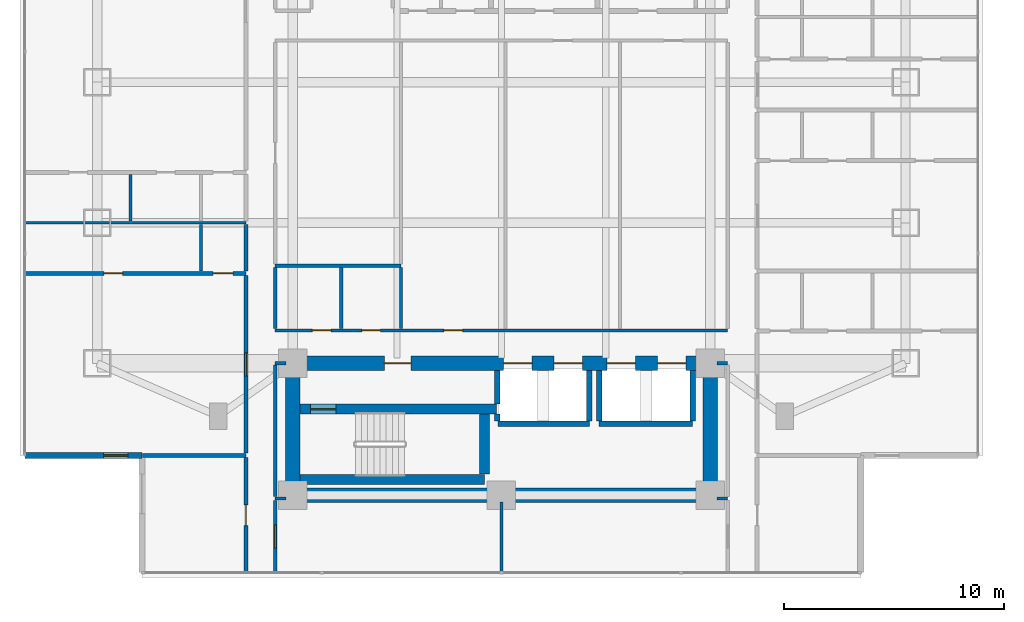
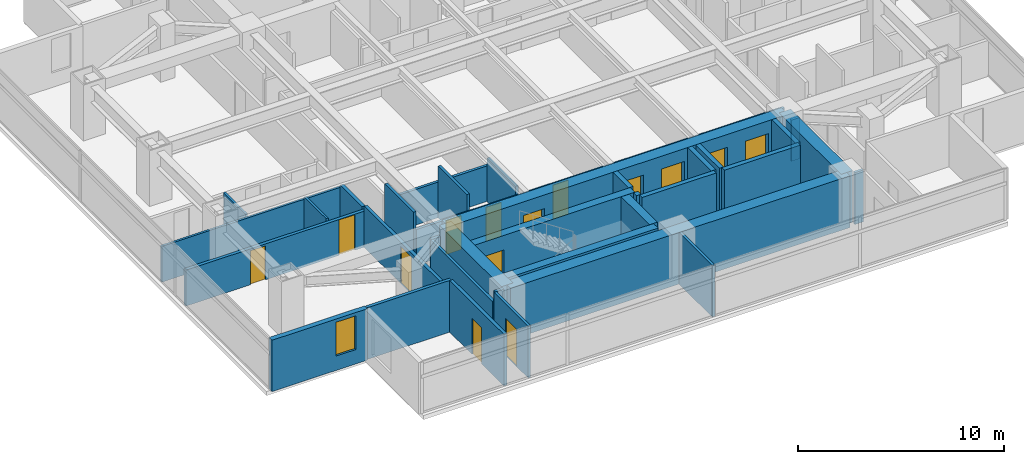
# One storey, part 13 of 24: 35 walls, 14 doors, 1 window, 15 openings.
"""IFC4 building model written with IfcOpenShell, lengths in metres."""

from ifc_helpers import new_model, si_unit, direction, frame, frame_2d, origin, place, context, subcontext, project, spatial, rectangle, extrude, material, layer, layer_set, type_object, element, fill, save


model = new_model("IFC4")

# Units and contexts
model_context = context("Model", 3, precision=1e-05, world=origin(), true_north=direction((0.0, 1.0)))
body_context = subcontext(model_context, "Body", "Model", "MODEL_VIEW")
ifc_project = project(units=[si_unit("LENGTHUNIT", "METRE"), si_unit("AREAUNIT", "SQUARE_METRE"), si_unit("VOLUMEUNIT", "CUBIC_METRE"), si_unit("PLANEANGLEUNIT", "RADIAN"), si_unit("MASSUNIT", "GRAM", prefix="KILO")], contexts=[model_context])

# Site, building, storey
site_placement = place(None, origin())
site = spatial("IfcSite", under=ifc_project, at=site_placement, CompositionType="ELEMENT")
building_placement = place(site_placement, origin())
building = spatial("IfcBuilding", under=site, at=building_placement, Name="Mirazonda Arch Towers", CompositionType="ELEMENT")
storey_placement = place(building_placement, frame((0.0, 0.0, 65.300048828125)))
storey = spatial("IfcBuildingStorey", under=building, at=storey_placement, Name="L18", CompositionType="ELEMENT", Elevation=65.300048828125)

# Wall
ifc_material_1 = material(Name="Concrete C50/60", Category="concrete")
ifc_layer_1 = layer(ifc_material_1, 0.449951171875, Name="WALL-CORE-450")
ifc_layer_set_1 = layer_set([ifc_layer_1], Name="Concrete C50/60")
wall_type_1 = type_object("IfcWallType", Name="WALL-CORE-450", PredefinedType="SHEAR", material=ifc_layer_set_1)
wall_1_placement = place(storey_placement, frame((11.320068359375, 13.1201171875, 0.0), z_axis=(0.0, 0.0, 1.0), x_axis=(1.0, 0.0, 0.0)))
element("IfcWall", 1, at=wall_1_placement, inside=storey, type_object=wall_type_1, Name="L18 Stair Core Shear Wall 003", PredefinedType="SHEAR", context=body_context, shape_type="SweptSolid", body=[
    extrude(rectangle(XDim=8.409912109375, YDim=0.449951171875, at=frame_2d((4.205078125, 0.0))), origin(), (0.0, 0.0, 1.0), 3.06005859375),
])

# Wall, opening, door
wall_2_placement = place(storey_placement, frame((11.320068359375, 16.320068359375, 0.0), z_axis=(0.0, 0.0, 1.0), x_axis=(1.0, 0.0, 0.0)))
wall_2 = element("IfcWall", 2, at=wall_2_placement, inside=storey, type_object=wall_type_1, Name="L18 Stair Core Shear Wall 008", PredefinedType="SHEAR", context=body_context, shape_type="SweptSolid", body=[
    extrude(rectangle(XDim=8.9599609375, YDim=0.449951171875, at=frame_2d((4.47998046875, 0.0))), origin(), (0.0, 0.0, 1.0), 3.06005859375),
])
opening_1_placement = place(wall_2_placement, frame((0.4951171875, 0.0, 0.0)))
opening_1 = element("IfcOpeningElement", 3, at=opening_1_placement, cuts=wall_2, Name="Opening DR-135", PredefinedType="OPENING", context=body_context, shape_type="SweptSolid", body=[
    extrude(rectangle(XDim=1.14990234375, YDim=2.199951171875, at=frame_2d((0.574951171875, 1.10009765625))), frame((0.0, 0.23486328125, 0.0), z_axis=(0.0, -1.0, 0.0), x_axis=(1.0, 0.0, 0.0)), (0.0, 0.0, 1.0), 0.469970703125),
])
ifc_material_2 = material(Name="Architectural Brushed Steel S355", Category="steel")
door_type_1 = type_object("IfcDoorType", Name="DOOR-STAIR-FD90-1150", OperationType="NOTDEFINED", PredefinedType="DOOR", material=ifc_material_2)
door_1_placement = place(opening_1_placement, origin())
door_1 = element("IfcDoor", 4, at=door_1_placement, inside=storey, type_object=door_type_1, Name="L18 Protected Exit Stair South Door", OperationType="SINGLE_SWING_RIGHT", OverallHeight=2.199951171875, OverallWidth=1.14990234375, PredefinedType="DOOR", context=body_context, shape_type="SweptSolid", body=[
    extrude(rectangle(XDim=1.14990234375, YDim=2.199951171875, at=frame_2d((0.574951171875, 1.10009765625))), frame((0.0, 0.02490234375, 0.0), z_axis=(0.0, -1.0, 0.0), x_axis=(1.0, 0.0, 0.0)), (0.0, 0.0, 1.0), 0.050048828125),
])
fill(opening_1, door_1)

# Walls
wall_3_placement = place(storey_placement, frame((19.72998046875, 13.35498046875, 0.0), z_axis=(0.0, 0.0, 1.0), x_axis=(0.0, 1.0, 0.0)))
element("IfcWall", 5, at=wall_3_placement, inside=storey, type_object=wall_type_1, Name="L18 Stair Core Shear Wall 079", PredefinedType="SHEAR", context=body_context, shape_type="SweptSolid", body=[
    extrude(rectangle(XDim=2.72998046875, YDim=0.449951171875, at=frame_2d((1.364990234375, 0.0))), origin(), (0.0, 0.0, 1.0), 3.06005859375),
])
ifc_material_3 = material(Name="Concrete C60/75", Category="concrete")
ifc_layer_2 = layer(ifc_material_3, 0.64990234375, Name="WALL-CORE-650")
ifc_layer_set_2 = layer_set([ifc_layer_2], Name="Concrete C60/75")
wall_type_2 = type_object("IfcWallType", Name="WALL-CORE-650", PredefinedType="SHEAR", material=ifc_layer_set_2)
wall_4_placement = place(storey_placement, frame((11.0, 12.39990234375, 0.0), z_axis=(0.0, 0.0, 1.0), x_axis=(1.0, 0.0, 0.0)))
element("IfcWall", 6, at=wall_4_placement, inside=storey, type_object=wall_type_2, Name="L18 T1S-S Core Shear Wall", PredefinedType="SHEAR", context=body_context, shape_type="SweptSolid", body=[
    extrude(rectangle(XDim=19.0, YDim=0.64990234375, at=frame_2d((9.5, 0.0))), origin(), (0.0, 0.0, 1.0), 3.06005859375),
])
for number, where, z_axis, x_axis, name in (
    (7, (11.0, 12.39990234375, 0.0), (0.0, 0.0, 1.0), (0.0, 1.0, 0.0), "L18 T1S-W Core Shear Wall"),
    (8, (30.0, 12.39990234375, 0.0), (0.0, 0.0, 1.0), (0.0, 1.0, 0.0), "L18 T1S-E Core Shear Wall"),
):
    element("IfcWall", number, at=place(storey_placement, frame(where, z_axis=z_axis, x_axis=x_axis)), inside=storey, type_object=wall_type_2, Name=name, PredefinedType="SHEAR", context=body_context, shape_type="SweptSolid", body=[
        extrude(rectangle(XDim=6.0, YDim=0.64990234375, at=frame_2d((3.0, 0.0))), origin(), (0.0, 0.0, 1.0), 3.06005859375),
    ])

# Wall, openings, doors
wall_5_placement = place(storey_placement, frame((11.0, 18.39990234375, 0.0), z_axis=(0.0, 0.0, 1.0), x_axis=(1.0, 0.0, 0.0)))
wall_5 = element("IfcWall", 9, at=wall_5_placement, inside=storey, type_object=wall_type_2, Name="L18 T1S-N Core Shear Wall", PredefinedType="SHEAR", context=body_context, shape_type="SweptSolid", body=[
    extrude(rectangle(XDim=19.0, YDim=0.64990234375, at=frame_2d((9.5, 0.0))), origin(), (0.0, 0.0, 1.0), 3.06005859375),
])
opening_2_placement = place(wall_5_placement, frame((4.175048828125, 0.0, 0.0)))
opening_2 = element("IfcOpeningElement", 10, at=opening_2_placement, cuts=wall_5, Name="Opening DR-117", PredefinedType="OPENING", context=body_context, shape_type="SweptSolid", body=[
    extrude(rectangle(XDim=1.199951171875, YDim=2.25, at=frame_2d((0.60009765625, 1.125))), frame((0.0, 0.3349609375, 0.0), z_axis=(0.0, -1.0, 0.0), x_axis=(1.0, 0.0, 0.0)), (0.0, 0.0, 1.0), 0.669921875),
])
opening_3_placement = place(wall_5_placement, frame((9.60009765625, 0.0, 0.0)))
opening_3 = element("IfcOpeningElement", 11, at=opening_3_placement, cuts=wall_5, Name="Opening LD-111", PredefinedType="OPENING", context=body_context, shape_type="SweptSolid", body=[
    extrude(rectangle(XDim=1.300048828125, YDim=2.300048828125, at=frame_2d((0.64990234375, 1.14990234375))), frame((0.0, 0.3349609375, 0.0), z_axis=(0.0, -1.0, 0.0), x_axis=(1.0, 0.0, 0.0)), (0.0, 0.0, 1.0), 0.669921875),
])
opening_4_placement = place(wall_5_placement, frame((11.89990234375, 0.0, 0.0)))
opening_4 = element("IfcOpeningElement", 12, at=opening_4_placement, cuts=wall_5, Name="Opening LD-111", PredefinedType="OPENING", context=body_context, shape_type="SweptSolid", body=[
    extrude(rectangle(XDim=1.300048828125, YDim=2.300048828125, at=frame_2d((0.64990234375, 1.14990234375))), frame((0.0, 0.3349609375, 0.0), z_axis=(0.0, -1.0, 0.0), x_axis=(1.0, 0.0, 0.0)), (0.0, 0.0, 1.0), 0.669921875),
])
opening_5_placement = place(wall_5_placement, frame((14.300048828125, 0.0, 0.0)))
opening_5 = element("IfcOpeningElement", 13, at=opening_5_placement, cuts=wall_5, Name="Opening LD-111", PredefinedType="OPENING", context=body_context, shape_type="SweptSolid", body=[
    extrude(rectangle(XDim=1.300048828125, YDim=2.300048828125, at=frame_2d((0.64990234375, 1.14990234375))), frame((0.0, 0.3349609375, 0.0), z_axis=(0.0, -1.0, 0.0), x_axis=(1.0, 0.0, 0.0)), (0.0, 0.0, 1.0), 0.669921875),
])
opening_6_placement = place(wall_5_placement, frame((16.60009765625, 0.0, 0.0)))
opening_6 = element("IfcOpeningElement", 14, at=opening_6_placement, cuts=wall_5, Name="Opening LD-111", PredefinedType="OPENING", context=body_context, shape_type="SweptSolid", body=[
    extrude(rectangle(XDim=1.300048828125, YDim=2.300048828125, at=frame_2d((0.64990234375, 1.14990234375))), frame((0.0, 0.3349609375, 0.0), z_axis=(0.0, -1.0, 0.0), x_axis=(1.0, 0.0, 0.0)), (0.0, 0.0, 1.0), 0.669921875),
])
door_type_2 = type_object("IfcDoorType", Name="DOOR-FFL-FD90-1200", OperationType="NOTDEFINED", PredefinedType="DOOR", material=ifc_material_2)
door_2_placement = place(opening_2_placement, origin())
door_2 = element("IfcDoor", 15, at=door_2_placement, inside=storey, type_object=door_type_2, Name="L18 South Core Stair & Lift Lobby Door", OperationType="SINGLE_SWING_LEFT", OverallHeight=2.25, OverallWidth=1.199951171875, PredefinedType="DOOR", context=body_context, shape_type="SweptSolid", body=[
    extrude(rectangle(XDim=1.199951171875, YDim=2.25, at=frame_2d((0.60009765625, 1.125))), frame((0.0, 0.02490234375, 0.0), z_axis=(0.0, -1.0, 0.0), x_axis=(1.0, 0.0, 0.0)), (0.0, 0.0, 1.0), 0.050048828125),
])
fill(opening_2, door_2)
door_type_3 = type_object("IfcDoorType", Name="DOOR-LIFT-LAND-1300", OperationType="NOTDEFINED", PredefinedType="DOOR", material=ifc_material_2)
door_3_placement = place(opening_3_placement, origin())
door_3 = element("IfcDoor", 16, at=door_3_placement, inside=storey, type_object=door_type_3, Name="L18 Lift Landing Sliding Door PL-T1M1", OperationType="DOUBLE_DOOR_SLIDING", OverallHeight=2.300048828125, OverallWidth=1.300048828125, PredefinedType="DOOR", context=body_context, shape_type="SweptSolid", body=[
    extrude(rectangle(XDim=1.300048828125, YDim=2.300048828125, at=frame_2d((0.64990234375, 1.14990234375))), frame((0.0, 0.02490234375, 0.0), z_axis=(0.0, -1.0, 0.0), x_axis=(1.0, 0.0, 0.0)), (0.0, 0.0, 1.0), 0.050048828125),
])
fill(opening_3, door_3)
door_4_placement = place(opening_4_placement, origin())
door_4 = element("IfcDoor", 17, at=door_4_placement, inside=storey, type_object=door_type_3, Name="L18 Lift Landing Sliding Door PL-T1M2", OperationType="DOUBLE_DOOR_SLIDING", OverallHeight=2.300048828125, OverallWidth=1.300048828125, PredefinedType="DOOR", context=body_context, shape_type="SweptSolid", body=[
    extrude(rectangle(XDim=1.300048828125, YDim=2.300048828125, at=frame_2d((0.64990234375, 1.14990234375))), frame((0.0, 0.02490234375, 0.0), z_axis=(0.0, -1.0, 0.0), x_axis=(1.0, 0.0, 0.0)), (0.0, 0.0, 1.0), 0.050048828125),
])
fill(opening_4, door_4)
door_5_placement = place(opening_5_placement, origin())
door_5 = element("IfcDoor", 18, at=door_5_placement, inside=storey, type_object=door_type_3, Name="L18 Lift Landing Sliding Door PL-T1H1", OperationType="DOUBLE_DOOR_SLIDING", OverallHeight=2.300048828125, OverallWidth=1.300048828125, PredefinedType="DOOR", context=body_context, shape_type="SweptSolid", body=[
    extrude(rectangle(XDim=1.300048828125, YDim=2.300048828125, at=frame_2d((0.64990234375, 1.14990234375))), frame((0.0, 0.02490234375, 0.0), z_axis=(0.0, -1.0, 0.0), x_axis=(1.0, 0.0, 0.0)), (0.0, 0.0, 1.0), 0.050048828125),
])
fill(opening_5, door_5)
door_6_placement = place(opening_6_placement, origin())
door_6 = element("IfcDoor", 19, at=door_6_placement, inside=storey, type_object=door_type_3, Name="L18 Lift Landing Sliding Door PL-T1H2", OperationType="DOUBLE_DOOR_SLIDING", OverallHeight=2.300048828125, OverallWidth=1.300048828125, PredefinedType="DOOR", context=body_context, shape_type="SweptSolid", body=[
    extrude(rectangle(XDim=1.300048828125, YDim=2.300048828125, at=frame_2d((0.64990234375, 1.14990234375))), frame((0.0, 0.02490234375, 0.0), z_axis=(0.0, -1.0, 0.0), x_axis=(1.0, 0.0, 0.0)), (0.0, 0.0, 1.0), 0.050048828125),
])
fill(opening_6, door_6)

# Wall, opening, window
ifc_material_4 = material(Name="Precast Concrete C40/50", Category="concrete")
ifc_layer_3 = layer(ifc_material_4, 0.280029296875, Name="WALL-EXT-WALL-280")
ifc_layer_set_3 = layer_set([ifc_layer_3], Name="Precast Concrete C40/50")
wall_type_3 = type_object("IfcWallType", Name="WALL-EXT-WALL-280", PredefinedType="SOLIDWALL", material=ifc_layer_set_3)
wall_6_placement = place(storey_placement, frame((-1.199951171875, 14.2080078125, 0.0), z_axis=(0.0, 0.0, 1.0), x_axis=(1.0, 0.0, 0.0)))
wall_6 = element("IfcWall", 20, at=wall_6_placement, inside=storey, type_object=wall_type_3, Name="L18 T1 Corner Notch Return Wall WL-L18-T1-CSW2", PredefinedType="SOLIDWALL", context=body_context, shape_type="SweptSolid", body=[
    extrude(rectangle(XDim=5.33984375, YDim=0.280029296875, at=frame_2d((2.669921875, 0.0))), origin(), (0.0, 0.0, 1.0), 3.0400390625),
])
opening_7_placement = place(wall_6_placement, frame((3.590087890625, 0.0, 0.85009765625)))
opening_7 = element("IfcOpeningElement", 21, at=opening_7_placement, cuts=wall_6, Name="Opening WN-108", PredefinedType="OPENING", context=body_context, shape_type="SweptSolid", body=[
    extrude(rectangle(XDim=1.10009765625, YDim=2.0, at=frame_2d((0.550048828125, 1.0))), frame((0.0, 0.14990234375, 0.0), z_axis=(0.0, -1.0, 0.0), x_axis=(1.0, 0.0, 0.0)), (0.0, 0.0, 1.0), 0.300048828125),
])
ifc_material_5 = material(Name="Insulated Low-E Solar Glass", Category="glass")
window_type = type_object("IfcWindowType", Name="WIN-NOTCH-1100x2000", PartitioningType="SINGLE_PANEL", PredefinedType="WINDOW", material=ifc_material_5)
window_placement = place(opening_7_placement, origin())
window = element("IfcWindow", 22, at=window_placement, inside=storey, type_object=window_type, Name="L18 Punched Facade Window WN-L18-T1-CSW2", OverallHeight=2.0, OverallWidth=1.10009765625, PartitioningType="SINGLE_PANEL", PredefinedType="WINDOW", context=body_context, shape_type="SweptSolid", body=[
    extrude(rectangle(XDim=1.10009765625, YDim=2.0, at=frame_2d((0.550048828125, 1.0))), frame((0.0, 0.030029296875, 0.0), z_axis=(0.0, -1.0, 0.0), x_axis=(1.0, 0.0, 0.0)), (0.0, 0.0, 1.0), 0.06005859375),
])
fill(opening_7, window)

# Walls
ifc_material_6 = material(Name="Fire-Rated Gypsum Stud Partition")
ifc_layer_4 = layer(ifc_material_6, 0.14990234375, Name="WALL-PART-CORR-150")
ifc_layer_set_4 = layer_set([ifc_layer_4], Name="Fire-Rated Gypsum Stud Partition")
wall_type_4 = type_object("IfcWallType", Name="WALL-PART-CORR-150", PredefinedType="PARTITIONING", material=ifc_layer_set_4)
for number, where, z_axis, x_axis, name in (
    (23, (10.199951171875, 12.25, 0.0), (0.0, 0.0, 1.0), (1.0, 0.0, 0.0), "L18 Interior Partition 001"),
    (24, (30.320068359375, 12.25, 0.0), (0.0, 0.0, 1.0), (1.0, 0.0, 0.0), "L18 Interior Partition 002"),
):
    element("IfcWall", number, at=place(storey_placement, frame(where, z_axis=z_axis, x_axis=x_axis)), inside=storey, type_object=wall_type_4, Name=name, PredefinedType="PARTITIONING", context=body_context, shape_type="SweptSolid", body=[
        extrude(rectangle(XDim=0.47998046875, YDim=0.14990234375, at=frame_2d((0.239990234375, 0.0))), origin(), (0.0, 0.0, 1.0), 3.06005859375),
    ])
for number, where, z_axis, x_axis, name in (
    (25, (10.199951171875, 18.39990234375, 0.0), (0.0, 0.0, 1.0), (1.0, 0.0, 0.0), "L18 Interior Partition 012"),
    (26, (30.320068359375, 18.39990234375, 0.0), (0.0, 0.0, 1.0), (1.0, 0.0, 0.0), "L18 Interior Partition 013"),
):
    element("IfcWall", number, at=place(storey_placement, frame(where, z_axis=z_axis, x_axis=x_axis)), inside=storey, type_object=wall_type_4, Name=name, PredefinedType="PARTITIONING", context=body_context, shape_type="SweptSolid", body=[
        extrude(rectangle(XDim=0.47998046875, YDim=0.14990234375, at=frame_2d((0.239990234375, 0.0))), origin(), (0.0, 0.0, 1.0), 2.43603515625),
    ])

# Wall, openings, doors
wall_7_placement = place(storey_placement, frame((10.199951171875, 19.89990234375, 0.0), z_axis=(0.0, 0.0, 1.0), x_axis=(1.0, 0.0, 0.0)))
wall_7 = element("IfcWall", 27, at=wall_7_placement, inside=storey, type_object=wall_type_4, Name="L18 Interior Partition 015", PredefinedType="PARTITIONING", context=body_context, shape_type="SweptSolid", body=[
    extrude(rectangle(XDim=20.60009765625, YDim=0.14990234375, at=frame_2d((10.300048828125, 0.0))), origin(), (0.0, 0.0, 1.0), 2.10400390625),
])
opening_8_placement = place(wall_7_placement, frame((1.695068359375, 0.0, 0.0)))
opening_8 = element("IfcOpeningElement", 28, at=opening_8_placement, cuts=wall_7, Name="Opening DR-128", PredefinedType="OPENING", context=body_context, shape_type="SweptSolid", body=[
    extrude(rectangle(XDim=0.85009765625, YDim=2.010009765625, at=frame_2d((0.425048828125, 1.0048828125))), frame((0.0, 0.0849609375, 0.0), z_axis=(0.0, -1.0, 0.0), x_axis=(1.0, 0.0, 0.0)), (0.0, 0.0, 1.0), 0.169921875),
])
opening_9_placement = place(wall_7_placement, frame((3.93994140625, 0.0, 0.0)))
opening_9 = element("IfcOpeningElement", 29, at=opening_9_placement, cuts=wall_7, Name="Opening DR-128", PredefinedType="OPENING", context=body_context, shape_type="SweptSolid", body=[
    extrude(rectangle(XDim=0.85009765625, YDim=2.010009765625, at=frame_2d((0.425048828125, 1.0048828125))), frame((0.0, 0.0849609375, 0.0), z_axis=(0.0, -1.0, 0.0), x_axis=(1.0, 0.0, 0.0)), (0.0, 0.0, 1.0), 0.169921875),
])
opening_10_placement = place(wall_7_placement, frame((7.68408203125, 0.0, 0.0)))
opening_10 = element("IfcOpeningElement", 30, at=opening_10_placement, cuts=wall_7, Name="Opening DR-128", PredefinedType="OPENING", context=body_context, shape_type="SweptSolid", body=[
    extrude(rectangle(XDim=0.85009765625, YDim=2.010009765625, at=frame_2d((0.425048828125, 1.0048828125))), frame((0.0, 0.0849609375, 0.0), z_axis=(0.0, -1.0, 0.0), x_axis=(1.0, 0.0, 0.0)), (0.0, 0.0, 1.0), 0.169921875),
])
door_type_4 = type_object("IfcDoorType", Name="DOOR-RISER-FD60-850", OperationType="NOTDEFINED", PredefinedType="DOOR", material=ifc_material_2)
door_7_placement = place(opening_8_placement, origin())
door_7 = element("IfcDoor", 31, at=door_7_placement, inside=storey, type_object=door_type_4, Name="L18 Common Accessible WC Door", OperationType="SINGLE_SWING_LEFT", OverallHeight=2.010009765625, OverallWidth=0.85009765625, PredefinedType="DOOR", context=body_context, shape_type="SweptSolid", body=[
    extrude(rectangle(XDim=0.85009765625, YDim=2.010009765625, at=frame_2d((0.425048828125, 1.0048828125))), frame((0.0, 0.02490234375, 0.0), z_axis=(0.0, -1.0, 0.0), x_axis=(1.0, 0.0, 0.0)), (0.0, 0.0, 1.0), 0.050048828125),
])
fill(opening_8, door_7)
door_8_placement = place(opening_9_placement, origin())
door_8 = element("IfcDoor", 32, at=door_8_placement, inside=storey, type_object=door_type_4, Name="L18 L18 West Courtyard Study Door", OperationType="SINGLE_SWING_LEFT", OverallHeight=2.010009765625, OverallWidth=0.85009765625, PredefinedType="DOOR", context=body_context, shape_type="SweptSolid", body=[
    extrude(rectangle(XDim=0.85009765625, YDim=2.010009765625, at=frame_2d((0.425048828125, 1.0048828125))), frame((0.0, 0.02490234375, 0.0), z_axis=(0.0, -1.0, 0.0), x_axis=(1.0, 0.0, 0.0)), (0.0, 0.0, 1.0), 0.050048828125),
])
fill(opening_9, door_8)
door_9_placement = place(opening_10_placement, origin())
door_9 = element("IfcDoor", 33, at=door_9_placement, inside=storey, type_object=door_type_4, Name="L18 Residents Private Library Door", OperationType="SINGLE_SWING_LEFT", OverallHeight=2.010009765625, OverallWidth=0.85009765625, PredefinedType="DOOR", context=body_context, shape_type="SweptSolid", body=[
    extrude(rectangle(XDim=0.85009765625, YDim=2.010009765625, at=frame_2d((0.425048828125, 1.0048828125))), frame((0.0, 0.02490234375, 0.0), z_axis=(0.0, -1.0, 0.0), x_axis=(1.0, 0.0, 0.0)), (0.0, 0.0, 1.0), 0.050048828125),
])
fill(opening_10, door_9)

# Wall
wall_8_placement = place(storey_placement, frame((10.199951171875, 22.85009765625, 0.0), z_axis=(0.0, 0.0, 1.0), x_axis=(1.0, 0.0, 0.0)))
element("IfcWall", 34, at=wall_8_placement, inside=storey, type_object=wall_type_4, Name="L18 Interior Partition 024", PredefinedType="PARTITIONING", context=body_context, shape_type="SweptSolid", body=[
    extrude(rectangle(XDim=5.72998046875, YDim=0.14990234375, at=frame_2d((2.864990234375, 0.0))), origin(), (0.0, 0.0, 1.0), 2.10400390625),
])

# Wall, opening, door
wall_9_placement = place(storey_placement, frame((10.199951171875, 8.867919921875, 0.0), z_axis=(0.0, 0.0, 1.0), x_axis=(0.0, 1.0, 0.0)))
wall_9 = element("IfcWall", 35, at=wall_9_placement, inside=storey, type_object=wall_type_4, Name="L18 Interior Partition 067", PredefinedType="PARTITIONING", context=body_context, shape_type="SweptSolid", body=[
    extrude(rectangle(XDim=3.297119140625, YDim=0.14990234375, at=frame_2d((1.6484375, 0.0))), origin(), (0.0, 0.0, 1.0), 3.06005859375),
])
opening_11_placement = place(wall_9_placement, frame((1.12353515625, 0.0, 0.0)))
opening_11 = element("IfcOpeningElement", 36, at=opening_11_placement, cuts=wall_9, Name="Opening DR-121", PredefinedType="OPENING", context=body_context, shape_type="SweptSolid", body=[
    extrude(rectangle(XDim=1.050048828125, YDim=2.199951171875, at=frame_2d((0.52490234375, 1.10009765625))), frame((0.0, 0.0849609375, 0.0), z_axis=(0.0, -1.0, 0.0), x_axis=(1.0, 0.0, 0.0)), (0.0, 0.0, 1.0), 0.169921875),
])
door_type_5 = type_object("IfcDoorType", Name="DOOR-SUITE-FD60-1050", OperationType="NOTDEFINED", PredefinedType="DOOR", material=ifc_material_2)
door_10_placement = place(opening_11_placement, origin())
door_10 = element("IfcDoor", 37, at=door_10_placement, inside=storey, type_object=door_type_5, Name="L18 South Panoramic Study West Door", OperationType="SINGLE_SWING_RIGHT", OverallHeight=2.199951171875, OverallWidth=1.050048828125, PredefinedType="DOOR", context=body_context, shape_type="SweptSolid", body=[
    extrude(rectangle(XDim=1.050048828125, YDim=2.199951171875, at=frame_2d((0.52490234375, 1.10009765625))), frame((0.0, 0.02490234375, 0.0), z_axis=(0.0, -1.0, 0.0), x_axis=(1.0, 0.0, 0.0)), (0.0, 0.0, 1.0), 0.050048828125),
])
fill(opening_11, door_10)

# Walls
wall_10_placement = place(storey_placement, frame((10.199951171875, 12.3349609375, 0.0), z_axis=(0.0, 0.0, 1.0), x_axis=(0.0, 1.0, 0.0)))
element("IfcWall", 38, at=wall_10_placement, inside=storey, type_object=wall_type_4, Name="L18 Interior Partition 068", PredefinedType="PARTITIONING", context=body_context, shape_type="SweptSolid", body=[
    extrude(rectangle(XDim=5.97998046875, YDim=0.14990234375, at=frame_2d((2.989990234375, 0.0))), origin(), (0.0, 0.0, 1.0), 2.43603515625),
])
for number, where, z_axis, x_axis, name in (
    (39, (10.206787109375, 19.985107421875, 0.0), (0.0, 0.0, 1.0), (0.0, 1.0, 0.0), "L18 Interior Partition 069"),
    (40, (13.199951171875, 19.985107421875, 0.0), (0.0, 0.0, 1.0), (0.0, 1.0, 0.0), "L18 Interior Partition 074"),
):
    element("IfcWall", number, at=place(storey_placement, frame(where, z_axis=z_axis, x_axis=x_axis)), inside=storey, type_object=wall_type_4, Name=name, PredefinedType="PARTITIONING", context=body_context, shape_type="SweptSolid", body=[
        extrude(rectangle(XDim=2.77978515625, YDim=0.14990234375, at=frame_2d((1.389892578125, 0.0))), origin(), (0.0, 0.0, 1.0), 3.06005859375),
    ])
wall_11_placement = place(storey_placement, frame((15.929931640625, 19.985107421875, 0.0), z_axis=(0.0, 0.0, 1.0), x_axis=(0.0, 1.0, 0.0)))
element("IfcWall", 41, at=wall_11_placement, inside=storey, type_object=wall_type_4, Name="L18 Interior Partition 076", PredefinedType="PARTITIONING", context=body_context, shape_type="SweptSolid", body=[
    extrude(rectangle(XDim=2.77978515625, YDim=0.14990234375, at=frame_2d((1.389892578125, 0.0))), origin(), (0.0, 0.0, 1.0), 2.5888671875),
])
wall_12_placement = place(storey_placement, frame((20.5, 8.867919921875, 0.0), z_axis=(0.0, 0.0, 1.0), x_axis=(0.0, 1.0, 0.0)))
element("IfcWall", 42, at=wall_12_placement, inside=storey, type_object=wall_type_4, Name="L18 Interior Partition 084", PredefinedType="PARTITIONING", context=body_context, shape_type="SweptSolid", body=[
    extrude(rectangle(XDim=3.212158203125, YDim=0.14990234375, at=frame_2d((1.60595703125, 0.0))), origin(), (0.0, 0.0, 1.0), 3.06005859375),
])
ifc_material_7 = material(Name="Fire-Rated Gypsum Twin-Stud Assembly")
ifc_layer_5 = layer(ifc_material_7, 0.179931640625, Name="WALL-PART-DEMISE-180")
ifc_layer_set_5 = layer_set([ifc_layer_5], Name="Fire-Rated Gypsum Twin-Stud Assembly")
wall_type_5 = type_object("IfcWallType", Name="WALL-PART-DEMISE-180", PredefinedType="PARTITIONING", material=ifc_layer_set_5)
wall_13_placement = place(storey_placement, frame((4.159912109375, 14.2080078125, 0.0), z_axis=(0.0, 0.0, 1.0), x_axis=(1.0, 0.0, 0.0)))
element("IfcWall", 43, at=wall_13_placement, inside=storey, type_object=wall_type_5, Name="L18 Interior Partition 004", PredefinedType="PARTITIONING", context=body_context, shape_type="SweptSolid", body=[
    extrude(rectangle(XDim=4.7001953125, YDim=0.179931640625, at=frame_2d((2.35009765625, 0.0))), origin(), (0.0, 0.0, 1.0), 3.06005859375),
])

# Wall, openings, doors
wall_14_placement = place(storey_placement, frame((-1.199951171875, 22.5, 0.0), z_axis=(0.0, 0.0, 1.0), x_axis=(1.0, 0.0, 0.0)))
wall_14 = element("IfcWall", 44, at=wall_14_placement, inside=storey, type_object=wall_type_5, Name="L18 Interior Partition 021", PredefinedType="PARTITIONING", context=body_context, shape_type="SweptSolid", body=[
    extrude(rectangle(XDim=10.06005859375, YDim=0.179931640625, at=frame_2d((5.030029296875, 0.0))), origin(), (0.0, 0.0, 1.0), 2.125),
])
opening_12_placement = place(wall_14_placement, frame((3.60498046875, 0.0, 0.0)))
opening_12 = element("IfcOpeningElement", 45, at=opening_12_placement, cuts=wall_14, Name="Opening DR-128", PredefinedType="OPENING", context=body_context, shape_type="SweptSolid", body=[
    extrude(rectangle(XDim=0.85009765625, YDim=2.010009765625, at=frame_2d((0.425048828125, 1.0048828125))), frame((0.0, 0.099853515625, 0.0), z_axis=(0.0, -1.0, 0.0), x_axis=(1.0, 0.0, 0.0)), (0.0, 0.0, 1.0), 0.199951171875),
])
opening_13_placement = place(wall_14_placement, frame((8.570068359375, 0.0, 0.0)))
opening_13 = element("IfcOpeningElement", 46, at=opening_13_placement, cuts=wall_14, Name="Opening DR-120", PredefinedType="OPENING", context=body_context, shape_type="SweptSolid", body=[
    extrude(rectangle(XDim=0.89990234375, YDim=2.10009765625, at=frame_2d((0.449951171875, 1.050048828125))), frame((0.0, 0.099853515625, 0.0), z_axis=(0.0, -1.0, 0.0), x_axis=(1.0, 0.0, 0.0)), (0.0, 0.0, 1.0), 0.199951171875),
])
door_11_placement = place(opening_12_placement, origin())
door_11 = element("IfcDoor", 47, at=door_11_placement, inside=storey, type_object=door_type_4, Name="L18 Studio 1 Galley Kitchen Door", OperationType="SINGLE_SWING_LEFT", OverallHeight=2.010009765625, OverallWidth=0.85009765625, PredefinedType="DOOR", context=body_context, shape_type="SweptSolid", body=[
    extrude(rectangle(XDim=0.85009765625, YDim=2.010009765625, at=frame_2d((0.425048828125, 1.0048828125))), frame((0.0, 0.02490234375, 0.0), z_axis=(0.0, -1.0, 0.0), x_axis=(1.0, 0.0, 0.0)), (0.0, 0.0, 1.0), 0.050048828125),
])
fill(opening_12, door_11)
door_type_6 = type_object("IfcDoorType", Name="DOOR-WC-900", OperationType="NOTDEFINED", PredefinedType="DOOR", material=ifc_material_2)
door_12_placement = place(opening_13_placement, origin())
door_12 = element("IfcDoor", 48, at=door_12_placement, inside=storey, type_object=door_type_6, Name="L18 Studio 1 Bathroom Door", OperationType="SINGLE_SWING_RIGHT", OverallHeight=2.10009765625, OverallWidth=0.89990234375, PredefinedType="DOOR", context=body_context, shape_type="SweptSolid", body=[
    extrude(rectangle(XDim=0.89990234375, YDim=2.10009765625, at=frame_2d((0.449951171875, 1.050048828125))), frame((0.0, 0.02490234375, 0.0), z_axis=(0.0, -1.0, 0.0), x_axis=(1.0, 0.0, 0.0)), (0.0, 0.0, 1.0), 0.050048828125),
])
fill(opening_13, door_12)

# Wall, opening, door
wall_15_placement = place(storey_placement, frame((8.860107421875, 8.867919921875, 0.0), z_axis=(0.0, 0.0, 1.0), x_axis=(0.0, 1.0, 0.0)))
wall_15 = element("IfcWall", 49, at=wall_15_placement, inside=storey, type_object=wall_type_5, Name="L18 Interior Partition 061", PredefinedType="PARTITIONING", context=body_context, shape_type="SweptSolid", body=[
    extrude(rectangle(XDim=5.239990234375, YDim=0.179931640625, at=frame_2d((2.6201171875, 0.0))), origin(), (0.0, 0.0, 1.0), 3.06005859375),
])
opening_14_placement = place(wall_15_placement, frame((2.14501953125, 0.0, 0.0)))
opening_14 = element("IfcOpeningElement", 50, at=opening_14_placement, cuts=wall_15, Name="Opening DR-104", PredefinedType="OPENING", context=body_context, shape_type="SweptSolid", body=[
    extrude(rectangle(XDim=0.949951171875, YDim=2.14990234375, at=frame_2d((0.47509765625, 1.074951171875))), frame((0.0, 0.099853515625, 0.0), z_axis=(0.0, -1.0, 0.0), x_axis=(1.0, 0.0, 0.0)), (0.0, 0.0, 1.0), 0.199951171875),
])
door_type_7 = type_object("IfcDoorType", Name="DOOR-ROOM-950", OperationType="NOTDEFINED", PredefinedType="DOOR", material=ifc_material_2)
door_13_placement = place(opening_14_placement, origin())
door_13 = element("IfcDoor", 51, at=door_13_placement, inside=storey, type_object=door_type_7, Name="L18 South Panoramic Study Alcove West Door", OperationType="SINGLE_SWING_RIGHT", OverallHeight=2.14990234375, OverallWidth=0.949951171875, PredefinedType="DOOR", context=body_context, shape_type="SweptSolid", body=[
    extrude(rectangle(XDim=0.949951171875, YDim=2.14990234375, at=frame_2d((0.47509765625, 1.074951171875))), frame((0.0, 0.02490234375, 0.0), z_axis=(0.0, -1.0, 0.0), x_axis=(1.0, 0.0, 0.0)), (0.0, 0.0, 1.0), 0.050048828125),
])
fill(opening_14, door_13)

wall_16_placement = place(storey_placement, frame((8.860107421875, 14.30810546875, 0.0), z_axis=(0.0, 0.0, 1.0), x_axis=(0.0, 1.0, 0.0)))
wall_16 = element("IfcWall", 52, at=wall_16_placement, inside=storey, type_object=wall_type_5, Name="L18 Interior Partition 062", PredefinedType="PARTITIONING", context=body_context, shape_type="SweptSolid", body=[
    extrude(rectangle(XDim=8.091796875, YDim=0.179931640625, at=frame_2d((4.0458984375, 0.0))), origin(), (0.0, 0.0, 1.0), 2.43603515625),
])
opening_15_placement = place(wall_16_placement, frame((3.52099609375, 0.0, 0.0)))
opening_15 = element("IfcOpeningElement", 53, at=opening_15_placement, cuts=wall_16, Name="Opening DR-121", PredefinedType="OPENING", context=body_context, shape_type="SweptSolid", body=[
    extrude(rectangle(XDim=1.050048828125, YDim=2.199951171875, at=frame_2d((0.52490234375, 1.10009765625))), frame((0.0, 0.099853515625, 0.0), z_axis=(0.0, -1.0, 0.0), x_axis=(1.0, 0.0, 0.0)), (0.0, 0.0, 1.0), 0.199951171875),
])
door_14_placement = place(opening_15_placement, origin())
door_14 = element("IfcDoor", 54, at=door_14_placement, inside=storey, type_object=door_type_5, Name="L18 Studio Apartment 1 Living Salon Door", OperationType="SINGLE_SWING_RIGHT", OverallHeight=2.199951171875, OverallWidth=1.050048828125, PredefinedType="DOOR", context=body_context, shape_type="SweptSolid", body=[
    extrude(rectangle(XDim=1.050048828125, YDim=2.199951171875, at=frame_2d((0.52490234375, 1.10009765625))), frame((0.0, 0.02490234375, 0.0), z_axis=(0.0, -1.0, 0.0), x_axis=(1.0, 0.0, 0.0)), (0.0, 0.0, 1.0), 0.050048828125),
])
fill(opening_15, door_14)

# Walls
wall_17_placement = place(storey_placement, frame((8.860107421875, 22.60009765625, 0.0), z_axis=(0.0, 0.0, 1.0), x_axis=(0.0, 1.0, 0.0)))
element("IfcWall", 55, at=wall_17_placement, inside=storey, type_object=wall_type_5, Name="L18 Interior Partition 063", PredefinedType="PARTITIONING", context=body_context, shape_type="SweptSolid", body=[
    extrude(rectangle(XDim=2.12744140625, YDim=0.179931640625, at=frame_2d((1.063720703125, 0.0))), origin(), (0.0, 0.0, 1.0), 2.279052734375),
])
ifc_material_8 = material(Name="Acoustic Fire-Rated Gypsum Partition")
ifc_layer_6 = layer(ifc_material_8, 0.125, Name="WALL-PART-UNIT-125")
ifc_layer_set_6 = layer_set([ifc_layer_6], Name="Acoustic Fire-Rated Gypsum Partition")
wall_type_6 = type_object("IfcWallType", Name="WALL-PART-UNIT-125", PredefinedType="PARTITIONING", material=ifc_layer_set_6)
wall_18_placement = place(storey_placement, frame((-1.199951171875, 24.800048828125, 0.0), z_axis=(0.0, 0.0, 1.0), x_axis=(1.0, 0.0, 0.0)))
element("IfcWall", 56, at=wall_18_placement, inside=storey, type_object=wall_type_6, Name="L18 Interior Partition 026", PredefinedType="PARTITIONING", context=body_context, shape_type="SweptSolid", body=[
    extrude(rectangle(XDim=10.06005859375, YDim=0.125, at=frame_2d((5.030029296875, 0.0))), origin(), (0.0, 0.0, 1.0), 2.125),
])
for number, where, z_axis, x_axis, name in (
    (57, (3.612060546875, 24.87255859375, 0.0), (0.0, 0.0, 1.0), (0.0, 1.0, 0.0), "L18 Interior Partition 058"),
    (58, (6.820068359375, 22.60009765625, 0.0), (0.0, 0.0, 1.0), (0.0, 1.0, 0.0), "L18 Interior Partition 059"),
):
    element("IfcWall", number, at=place(storey_placement, frame(where, z_axis=z_axis, x_axis=x_axis)), inside=storey, type_object=wall_type_6, Name=name, PredefinedType="PARTITIONING", context=body_context, shape_type="SweptSolid", body=[
        extrude(rectangle(XDim=2.12744140625, YDim=0.125, at=frame_2d((1.063720703125, 0.0))), origin(), (0.0, 0.0, 1.0), 2.279052734375),
    ])
ifc_material_9 = material(Name="Concrete C40/50", Category="concrete")
ifc_layer_7 = layer(ifc_material_9, 0.25, Name="WALL-SHAFT-250")
ifc_layer_set_7 = layer_set([ifc_layer_7], Name="Concrete C40/50")
wall_type_7 = type_object("IfcWallType", Name="WALL-SHAFT-250", PredefinedType="SOLIDWALL", material=ifc_layer_set_7)
wall_19_placement = place(storey_placement, frame((20.35009765625, 15.64990234375, 0.0), z_axis=(0.0, 0.0, 1.0), x_axis=(1.0, 0.0, 0.0)))
element("IfcWall", 59, at=wall_19_placement, inside=storey, type_object=wall_type_7, Name="L18 Interior Partition 006", PredefinedType="SOLIDWALL", context=body_context, shape_type="SweptSolid", body=[
    extrude(rectangle(XDim=4.14990234375, YDim=0.25, at=frame_2d((2.074951171875, 0.0))), origin(), (0.0, 0.0, 1.0), 3.06005859375),
])
wall_20_placement = place(storey_placement, frame((24.949951171875, 15.64990234375, 0.0), z_axis=(0.0, 0.0, 1.0), x_axis=(1.0, 0.0, 0.0)))
element("IfcWall", 60, at=wall_20_placement, inside=storey, type_object=wall_type_7, Name="L18 Interior Partition 007", PredefinedType="SOLIDWALL", context=body_context, shape_type="SweptSolid", body=[
    extrude(rectangle(XDim=4.25, YDim=0.25, at=frame_2d((2.125, 0.0))), origin(), (0.0, 0.0, 1.0), 3.06005859375),
])
wall_21_placement = place(storey_placement, frame((20.31494140625, 15.784912109375, 0.0), z_axis=(0.0, 0.0, 1.0), x_axis=(0.0, 1.0, 0.0)))
element("IfcWall", 61, at=wall_21_placement, inside=storey, type_object=wall_type_7, Name="L18 Interior Partition 081", PredefinedType="SOLIDWALL", context=body_context, shape_type="SweptSolid", body=[
    extrude(rectangle(XDim=0.300048828125, YDim=0.25, at=frame_2d((0.14990234375, 0.0))), origin(), (0.0, 0.0, 1.0), 3.06005859375),
])
wall_22_placement = place(storey_placement, frame((20.31494140625, 16.554931640625, 0.0), z_axis=(0.0, 0.0, 1.0), x_axis=(0.0, 1.0, 0.0)))
element("IfcWall", 62, at=wall_22_placement, inside=storey, type_object=wall_type_7, Name="L18 Interior Partition 082", PredefinedType="SOLIDWALL", context=body_context, shape_type="SweptSolid", body=[
    extrude(rectangle(XDim=1.525146484375, YDim=0.25, at=frame_2d((0.7626953125, 0.0))), origin(), (0.0, 0.0, 1.0), 3.06005859375),
])
for number, where, z_axis, x_axis, name in (
    (63, (24.5, 15.784912109375, 0.0), (0.0, 0.0, 1.0), (0.0, 1.0, 0.0), "L18 Interior Partition 087"),
    (64, (24.949951171875, 15.784912109375, 0.0), (0.0, 0.0, 1.0), (0.0, 1.0, 0.0), "L18 Interior Partition 089"),
    (65, (29.199951171875, 15.784912109375, 0.0), (0.0, 0.0, 1.0), (0.0, 1.0, 0.0), "L18 Interior Partition 093"),
):
    element("IfcWall", number, at=place(storey_placement, frame(where, z_axis=z_axis, x_axis=x_axis)), inside=storey, type_object=wall_type_7, Name=name, PredefinedType="SOLIDWALL", context=body_context, shape_type="SweptSolid", body=[
        extrude(rectangle(XDim=2.295166015625, YDim=0.25, at=frame_2d((1.1474609375, 0.0))), origin(), (0.0, 0.0, 1.0), 3.06005859375),
    ])

save(model, "model.ifc")
